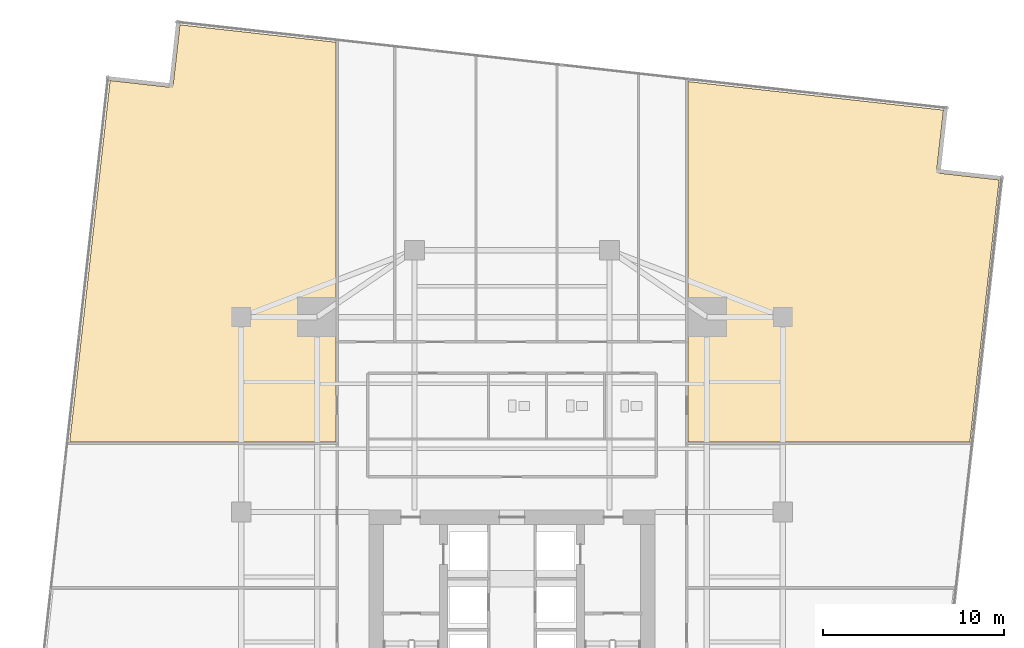
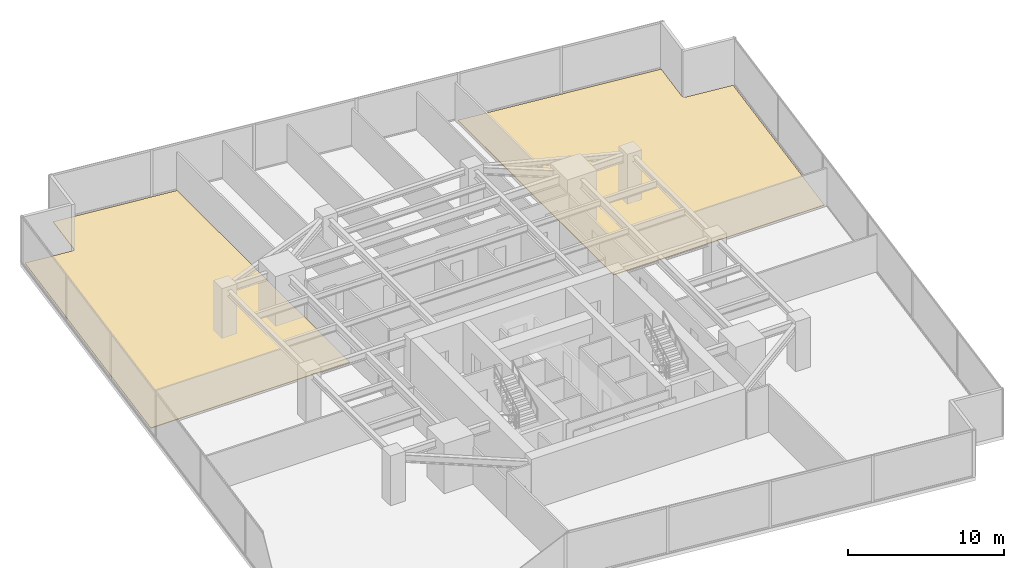
# One storey, part 30 of 31: 2 coverings.
"""IFC4 building model written with IfcOpenShell, lengths in metres."""

from ifc_helpers import new_model, si_unit, direction, frame, origin, place, context, subcontext, project, spatial, polyline, outline, extrude, material, layer, layer_set, type_object, element, save


model = new_model("IFC4")

# Units and contexts
model_context = context("Model", 3, precision=1e-05, world=origin(), true_north=direction((0.0, 1.0)))
body_context = subcontext(model_context, "Body", "Model", "MODEL_VIEW")
ifc_project = project(units=[si_unit("LENGTHUNIT", "METRE"), si_unit("AREAUNIT", "SQUARE_METRE"), si_unit("VOLUMEUNIT", "CUBIC_METRE"), si_unit("PLANEANGLEUNIT", "RADIAN"), si_unit("MASSUNIT", "GRAM", prefix="KILO")], contexts=[model_context])

# Site, building, storey
site_placement = place(None, origin())
site = spatial("IfcSite", under=ifc_project, at=site_placement, CompositionType="ELEMENT")
building_placement = place(site_placement, origin())
building = spatial("IfcBuilding", under=site, at=building_placement, Name="Krantzveldt Concourse Tower", CompositionType="ELEMENT")
storey_placement = place(building_placement, frame((0.0, 0.0, 56.60009765625)))
storey = spatial("IfcBuildingStorey", under=building, at=storey_placement, Name="L13", CompositionType="ELEMENT", Elevation=56.60009765625)

# Coverings
ifc_material = material(Name="Calcium-sulphate raised access floor panel", Category="flooring")
ifc_layer = layer(ifc_material, 0.050048828125, Name="Calcium-sulphate raised access floor panel", Category="flooring")
ifc_layer_set = layer_set([ifc_layer], Name="Calcium-sulphate raised access floor panel (COV-FLOOR-RAISED)")
covering_type = type_object("IfcCoveringType", Name="COV-FLOOR-RAISED", PredefinedType="FLOORING", material=ifc_layer_set)
covering_1_placement = place(storey_placement, origin())
element("IfcCovering", 1, at=covering_1_placement, inside=storey, type_object=covering_type, Name="FLR-SP-L13-WR3", PredefinedType="FLOORING", context=body_context, shape_type="SweptSolid", body=[
    extrude(outline(polyline([(11.499267578125, 30.580078125), (13.736083984375, 50.599853515625), (16.995849609375, 50.235595703125), (17.017333984375, 50.234375), (17.038818359375, 50.235107421875), (17.060302734375, 50.238037109375), (17.081298828125, 50.242919921875), (17.101806640625, 50.25), (17.121337890625, 50.259033203125), (17.14013671875, 50.269775390625), (17.157470703125, 50.282470703125), (17.173828125, 50.296630859375), (17.1884765625, 50.3125), (17.201416015625, 50.32958984375), (17.212890625, 50.34814453125), (17.222412109375, 50.367431640625), (17.22998046875, 50.3876953125), (17.2353515625, 50.40869140625), (17.23876953125, 50.429931640625), (17.60302734375, 53.689697265625), (26.239990234375, 52.724609375), (26.239990234375, 30.580078125), (11.499267578125, 30.580078125)])), origin(), (0.0, 0.0, 1.0), 0.0498046875),
])
covering_2_placement = place(storey_placement, origin())
element("IfcCovering", 2, at=covering_2_placement, inside=storey, type_object=covering_type, Name="FLR-SP-L13-ER3", PredefinedType="FLOORING", context=body_context, shape_type="SweptSolid", body=[
    extrude(outline(polyline([(45.760009765625, 50.543701171875), (59.89990234375, 48.9638671875), (59.53564453125, 45.7041015625), (59.534423828125, 45.6826171875), (59.53515625, 45.6611328125), (59.5380859375, 45.6396484375), (59.54296875, 45.61865234375), (59.550048828125, 45.598388671875), (59.558837890625, 45.57861328125), (59.56982421875, 45.56005859375), (59.58251953125, 45.54248046875), (59.5966796875, 45.5263671875), (59.612548828125, 45.511474609375), (59.629638671875, 45.49853515625), (59.64794921875, 45.487060546875), (59.66748046875, 45.4775390625), (59.687744140625, 45.47021484375), (59.70849609375, 45.464599609375), (59.72998046875, 45.461181640625), (62.989501953125, 45.096923828125), (61.36767578125, 30.580078125), (45.760009765625, 30.580078125), (45.760009765625, 50.543701171875)])), origin(), (0.0, 0.0, 1.0), 0.0498046875),
])

save(model, "model.ifc")
